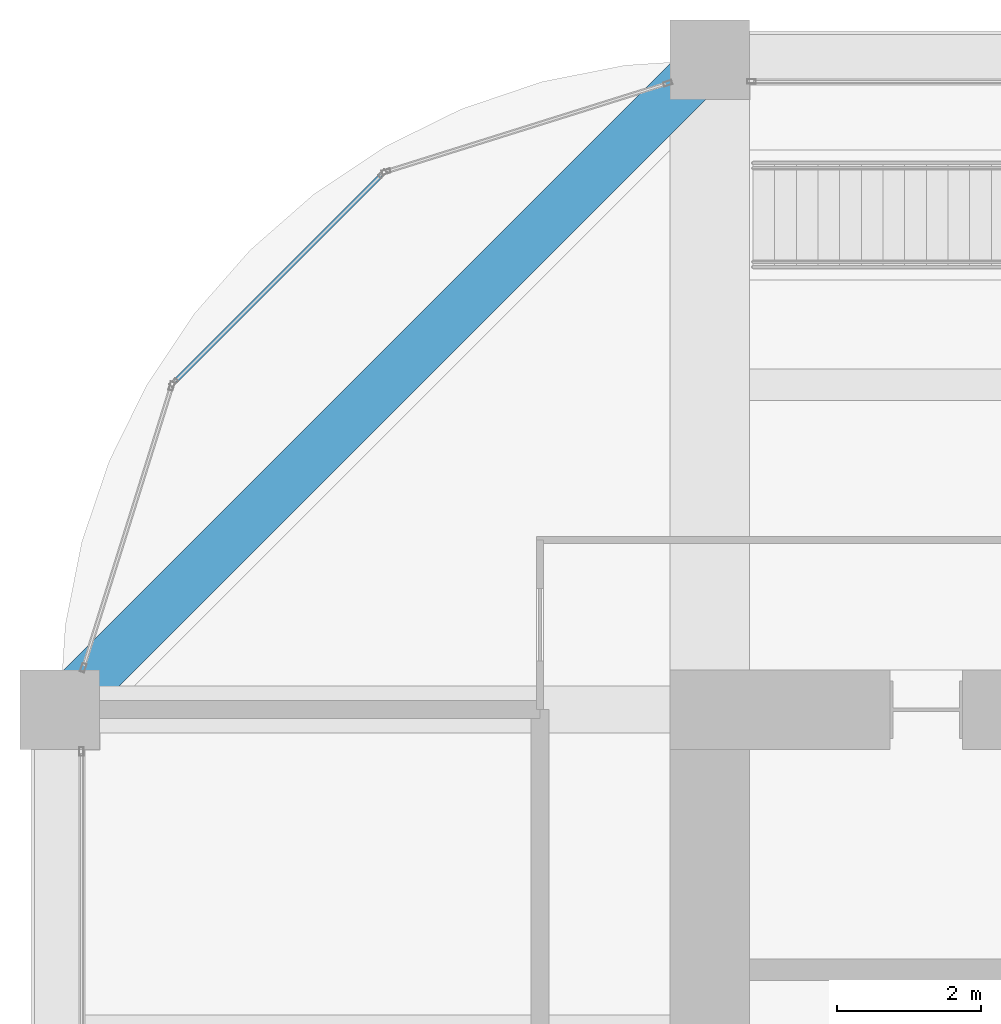
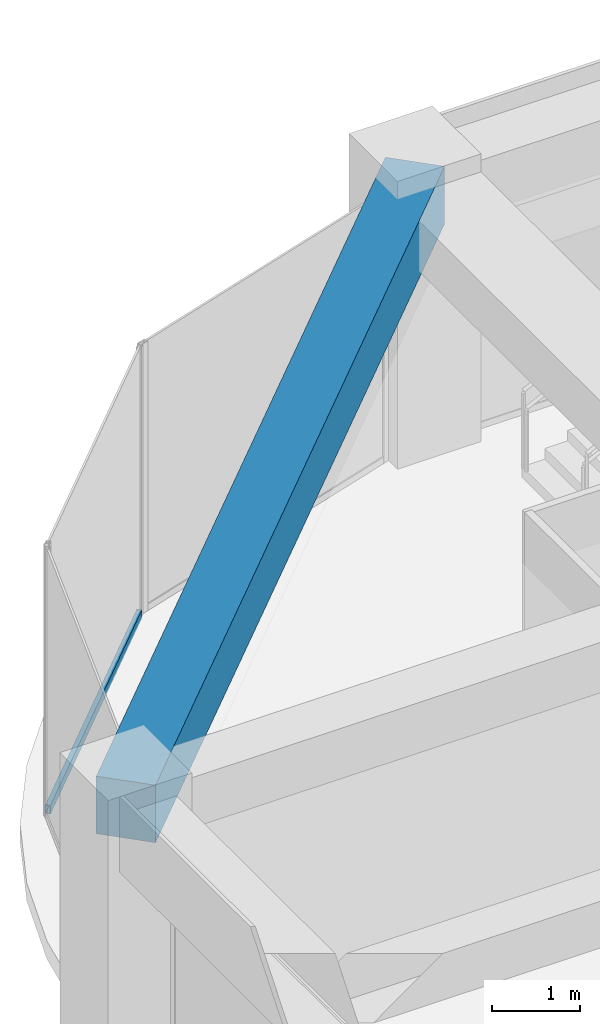
# One storey, part 29 of 44: 1 beam, 1 member, 1 element without a shape of its own.
"""IFC4 building model written with IfcOpenShell, lengths in metres."""

from ifc_helpers import new_model, si_unit, direction, frame, origin, origin_2d, place, context, subcontext, project, spatial, rectangle, hollow_rectangle, extrude, material, material_profile, profile_set, type_object, element, aggregate, save


model = new_model("IFC4")

# Units and contexts
model_context = context("Model", 3, precision=1e-05, world=origin(), true_north=direction((0.0, 1.0)))
body_context = subcontext(model_context, "Body", "Model", "MODEL_VIEW")
ifc_project = project(units=[si_unit("LENGTHUNIT", "METRE"), si_unit("AREAUNIT", "SQUARE_METRE"), si_unit("VOLUMEUNIT", "CUBIC_METRE"), si_unit("PLANEANGLEUNIT", "RADIAN"), si_unit("MASSUNIT", "GRAM", prefix="KILO")], contexts=[model_context])

# Site, building, storey
site_placement = place(None, origin())
site = spatial("IfcSite", under=ifc_project, at=site_placement, CompositionType="ELEMENT")
building_placement = place(site_placement, origin())
building = spatial("IfcBuilding", under=site, at=building_placement, Name="Zorevar Civic Tower", CompositionType="ELEMENT")
storey_placement = place(building_placement, frame((0.0, 0.0, 271.39990234375)))
storey = spatial("IfcBuildingStorey", under=building, at=storey_placement, Name="L66", CompositionType="ELEMENT", Elevation=271.39990234375)

# Curtain wall, member
ifc_material_1 = material(Name="Dark grey solar-control glass in black aluminium frame", Category="aluminium")
curtain_wall_type = type_object("IfcCurtainWallType", Name="Curtain wall CW5 top zone", PredefinedType="NOTDEFINED", material=ifc_material_1)
curtain_wall_placement = place(storey_placement, origin())
curtain_wall = element("IfcCurtainWall", 1, at=curtain_wall_placement, inside=storey, type_object=curtain_wall_type, Name="CW5 L66", PredefinedType="NOTDEFINED")
ifc_material_2 = material(Name="Aluminium, black anodised", Category="aluminium")
ifc_material_profile_1 = material_profile(ifc_material_2, hollow_rectangle(XDim=0.06005859375, YDim=0.1201171875, WallThickness=0.0029296875, at=origin_2d()), Name="AL 120x60x3")
ifc_profile_set_1 = profile_set([ifc_material_profile_1], Name="Aluminium, black anodised")
member_type = type_object("IfcMemberType", Name="CW5 transom AL 120x60x3", PredefinedType="USERDEFINED", material=ifc_profile_set_1)
member_placement = place(storey_placement, frame((13.44970703125, 43.3984375, 0.030029296875), z_axis=(-0.707106781187, -0.707106781187, 0.0), x_axis=(0.707106781187, -0.707106781187, 0.0)))
member = element("IfcMember", 2, at=member_placement, type_object=member_type, Name="CW5 sill transom", ObjectType="TRANSOM", PredefinedType="USERDEFINED", context=body_context, shape_type="SweptSolid", body=[
    extrude(hollow_rectangle(XDim=0.06005859375, YDim=0.1201171875, WallThickness=0.0029296875, at=origin_2d()), origin(), (0.0, 0.0, 1.0), 4.02783203125),
])
aggregate(curtain_wall, [member])

# Beam
ifc_material_3 = material(Name="Concrete C50/60", Category="concrete")
ifc_material_profile_2 = material_profile(ifc_material_3, rectangle(XDim=0.699951171875, YDim=0.800048828125, at=origin_2d()), Name="RC 700x800")
ifc_profile_set_2 = profile_set([ifc_material_profile_2], Name="Concrete C50/60")
beam_type = type_object("IfcBeamType", Name="Edge beam RC 700x800", PredefinedType="SPANDREL", material=ifc_profile_set_2)
beam_placement = place(storey_placement, frame((18.0, 45.0, 3.35009765625), z_axis=(-0.707106781187, -0.707106781187, 0.0), x_axis=(0.707106781187, -0.707106781187, 0.0)))
element("IfcBeam", 3, at=beam_placement, inside=storey, type_object=beam_type, Name="Corner edge beam L67", PredefinedType="SPANDREL", context=body_context, shape_type="SweptSolid", body=[
    extrude(rectangle(XDim=0.699951171875, YDim=0.800048828125, at=origin_2d()), origin(), (0.0, 0.0, 1.0), 12.72802734375),
])

save(model, "model.ifc")
